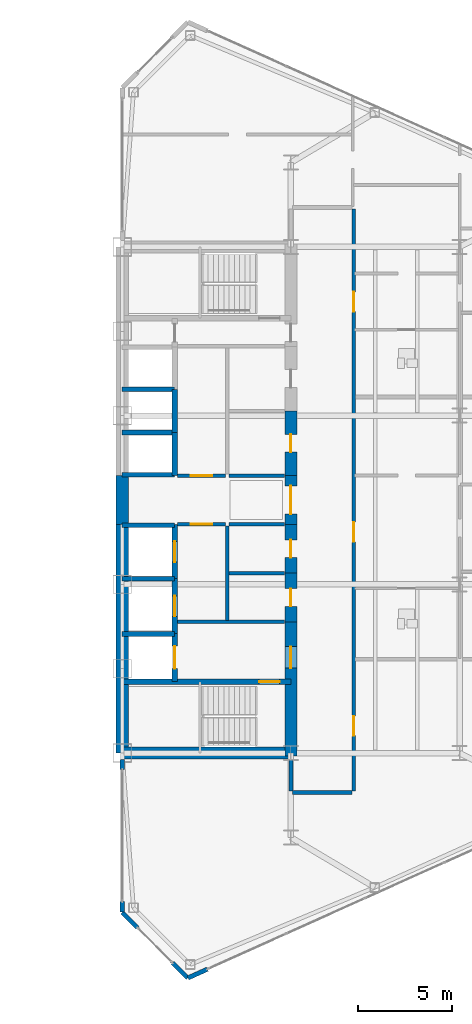
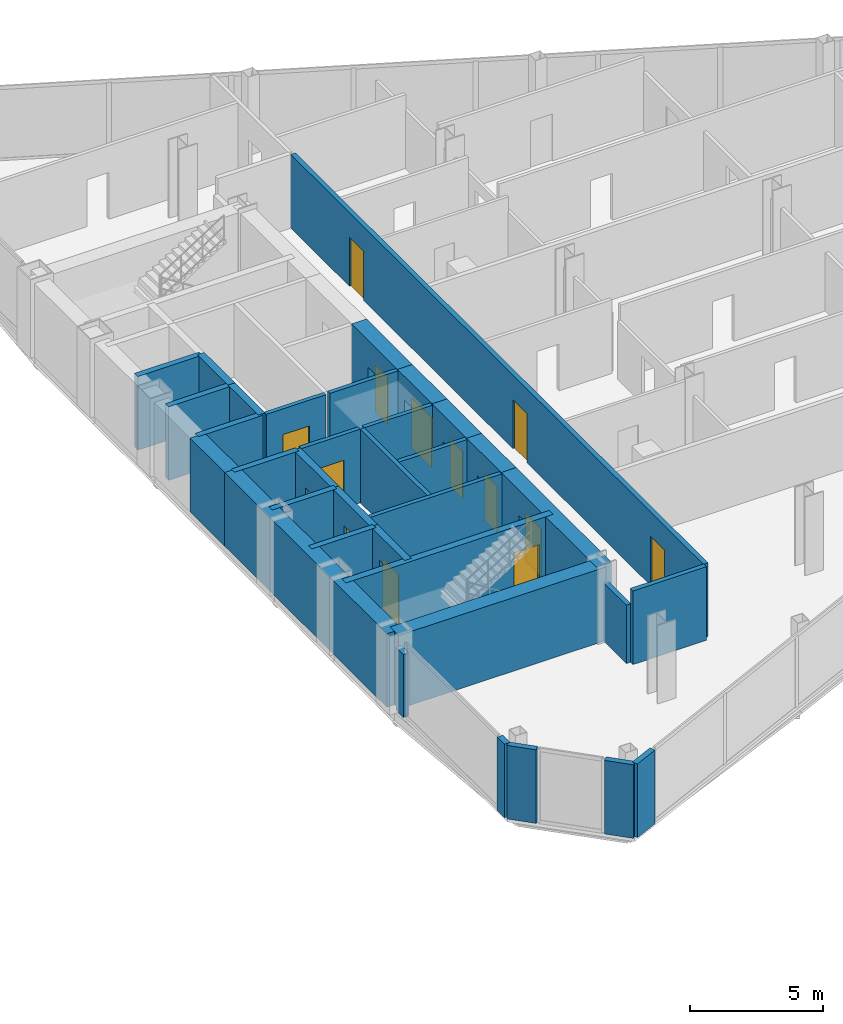
# One storey, part 22 of 27: 35 walls, 14 doors, 14 openings.
"""IFC4 building model written with IfcOpenShell, lengths in metres."""

from ifc_helpers import new_model, si_unit, direction, frame, frame_2d, origin, place, context, subcontext, project, spatial, rectangle, extrude, source, transform, mapped, material, layer, layer_set, type_object, type_shapes, element, fill, save


model = new_model("IFC4")

# Units and contexts
model_context = context("Model", 3, precision=1e-05, world=origin(), true_north=direction((0.0, 1.0)))
body_context = subcontext(model_context, "Body", "Model", "MODEL_VIEW")
ifc_project = project(units=[si_unit("LENGTHUNIT", "METRE"), si_unit("AREAUNIT", "SQUARE_METRE"), si_unit("VOLUMEUNIT", "CUBIC_METRE"), si_unit("PLANEANGLEUNIT", "RADIAN"), si_unit("MASSUNIT", "GRAM", prefix="KILO")], contexts=[model_context])

# Site, building, storey
site_placement = place(None, origin())
site = spatial("IfcSite", under=ifc_project, at=site_placement, CompositionType="ELEMENT")
building_placement = place(site_placement, origin())
building = spatial("IfcBuilding", under=site, at=building_placement, Name="Seokmaru Belvedere", CompositionType="ELEMENT")
storey_placement = place(building_placement, frame((0.0, 0.0, 69.300048828125)))
storey = spatial("IfcBuildingStorey", under=building, at=storey_placement, Name="L18", CompositionType="ELEMENT", Elevation=69.300048828125)

# Walls
ifc_material_1 = material(Name="Fire-Rated Gypsum Shaftwall")
ifc_layer_1 = layer(ifc_material_1, 0.179931640625)
ifc_layer_set_1 = layer_set([ifc_layer_1], Name="Fire-Rated Gypsum Shaftwall")
wall_type_1 = type_object("IfcWallType", Name="Core Service Fire Partition 180", PredefinedType="PARTITIONING", material=ifc_layer_set_1)
wall_1_placement = place(storey_placement, frame((30.449951171875, -6.5, 0.0), z_axis=(0.0, 0.0, 1.0), x_axis=(1.0, 0.0, 0.0)))
element("IfcWall", 1, at=wall_1_placement, inside=storey, type_object=wall_type_1, Name="L18 East Firefighting Lobby Partition", PredefinedType="PARTITIONING", context=body_context, shape_type="SweptSolid", body=[
    extrude(rectangle(XDim=5.699951171875, YDim=0.179931640625, at=frame_2d((2.85009765625, 0.0))), origin(), (0.0, 0.0, 1.0), 3.3798828125),
])
wall_2_placement = place(storey_placement, frame((33.10009765625, -6.419921875, 0.0), z_axis=(0.0, 0.0, 1.0), x_axis=(0.0, 1.0, 0.0)))
element("IfcWall", 2, at=wall_2_placement, inside=storey, type_object=wall_type_1, Name="L18 East South Core Service Back Wall", PredefinedType="PARTITIONING", context=body_context, shape_type="SweptSolid", body=[
    extrude(rectangle(XDim=5.0400390625, YDim=0.179931640625, at=frame_2d((2.52001953125, 0.0))), origin(), (0.0, 0.0, 1.0), 3.3798828125),
])

# Wall, opening, door
wall_3_placement = place(storey_placement, frame((30.449951171875, -1.300048828125, 0.0), z_axis=(0.0, 0.0, 1.0), x_axis=(1.0, 0.0, 0.0)))
wall_3 = element("IfcWall", 3, at=wall_3_placement, inside=storey, type_object=wall_type_1, Name="L18 East South Lift Lobby Foyer Wall", PredefinedType="PARTITIONING", context=body_context, shape_type="SweptSolid", body=[
    extrude(rectangle(XDim=2.570068359375, YDim=0.179931640625, at=frame_2d((1.28515625, 0.0))), origin(), (0.0, 0.0, 1.0), 3.3798828125),
])
opening_1_placement = place(wall_3_placement, frame((0.7099609375, 0.0, 0.0)))
opening_1 = element("IfcOpeningElement", 4, at=opening_1_placement, cuts=wall_3, Name="Opening D02", PredefinedType="OPENING", context=body_context, shape_type="SweptSolid", body=[
    extrude(rectangle(XDim=1.14990234375, YDim=2.199951171875, at=frame_2d((0.574951171875, 1.10009765625))), frame((0.0, 0.10009765625, 0.0), z_axis=(0.0, -1.0, 0.0), x_axis=(1.0, 0.0, 0.0)), (0.0, 0.0, 1.0), 0.199951171875),
])
ifc_material_2 = material(Name="Fire-Rated Steel Leaf", Category="steel")
door_type_1 = type_object("IfcDoorType", Name="Lobby and Vestibule Fire Door 1150x2200", OperationType="NOTDEFINED", PredefinedType="DOOR", material=ifc_material_2)
shared_shape_1 = source(origin(), body_context, "Body", "SweptSolid", [
    extrude(rectangle(XDim=1.14990234375, YDim=2.199951171875, at=frame_2d((0.574951171875, 1.10009765625))), frame((0.0, 0.02490234375, 0.0), z_axis=(0.0, -1.0, 0.0), x_axis=(1.0, 0.0, 0.0)), (0.0, 0.0, 1.0), 0.050048828125),
])
type_shapes(door_type_1, [shared_shape_1])
door_1_placement = place(opening_1_placement, origin())
door_1 = element("IfcDoor", 5, at=door_1_placement, inside=storey, type_object=door_type_1, Name="L18 East South Core Foyer Door", OperationType="SINGLE_SWING_RIGHT", OverallHeight=2.199951171875, OverallWidth=1.14990234375, PredefinedType="DOOR", context=body_context, shape_type="MappedRepresentation", body=[
    mapped(shared_shape_1, transform((0.0, 0.0, 0.0), scale=1.0)),
])
fill(opening_1, door_1)

wall_4_placement = place(storey_placement, frame((30.449951171875, 1.300048828125, 0.0), z_axis=(0.0, 0.0, 1.0), x_axis=(1.0, 0.0, 0.0)))
wall_4 = element("IfcWall", 6, at=wall_4_placement, inside=storey, type_object=wall_type_1, Name="L18 East North Lift Lobby Foyer Wall", PredefinedType="PARTITIONING", context=body_context, shape_type="SweptSolid", body=[
    extrude(rectangle(XDim=2.570068359375, YDim=0.179931640625, at=frame_2d((1.28515625, 0.0))), origin(), (0.0, 0.0, 1.0), 3.3798828125),
])
opening_2_placement = place(wall_4_placement, frame((0.7099609375, 0.0, 0.0)))
opening_2 = element("IfcOpeningElement", 7, at=opening_2_placement, cuts=wall_4, Name="Opening D02", PredefinedType="OPENING", context=body_context, shape_type="SweptSolid", body=[
    extrude(rectangle(XDim=1.14990234375, YDim=2.199951171875, at=frame_2d((0.574951171875, 1.10009765625))), frame((0.0, 0.10009765625, 0.0), z_axis=(0.0, -1.0, 0.0), x_axis=(1.0, 0.0, 0.0)), (0.0, 0.0, 1.0), 0.199951171875),
])
door_2_placement = place(opening_2_placement, origin())
door_2 = element("IfcDoor", 8, at=door_2_placement, inside=storey, type_object=door_type_1, Name="L18 East North Lift Lobby Door", OperationType="SINGLE_SWING_LEFT", OverallHeight=2.199951171875, OverallWidth=1.14990234375, PredefinedType="DOOR", context=body_context, shape_type="MappedRepresentation", body=[
    mapped(shared_shape_1, transform((0.0, 0.0, 0.0), scale=1.0)),
])
fill(opening_2, door_2)

# Walls
for number, where, z_axis, x_axis, name in (
    (9, (33.199951171875, -1.300048828125, 0.0), (0.0, 0.0, 1.0), (1.0, 0.0, 0.0), "L18 East Foyer Side Wall S"),
    (10, (33.199951171875, 1.300048828125, 0.0), (0.0, 0.0, 1.0), (1.0, 0.0, 0.0), "L18 East Foyer Side Wall N"),
    (11, (33.199951171875, -3.89990234375, 0.0), (0.0, 0.0, 1.0), (1.0, 0.0, 0.0), "L18 East Core Service Partition 1"),
):
    element("IfcWall", number, at=place(storey_placement, frame(where, z_axis=z_axis, x_axis=x_axis)), inside=storey, type_object=wall_type_1, Name=name, PredefinedType="PARTITIONING", context=body_context, shape_type="SweptSolid", body=[
        extrude(rectangle(XDim=2.949951171875, YDim=0.179931640625, at=frame_2d((1.47509765625, 0.0))), origin(), (0.0, 0.0, 1.0), 3.3798828125),
    ])
ifc_material_3 = material(Name="Concrete C50 (50 MPa)", Category="concrete")
ifc_layer_2 = layer(ifc_material_3, 0.25)
ifc_layer_set_2 = layer_set([ifc_layer_2], Name="Concrete C50 (50 MPa)")
wall_type_2 = type_object("IfcWallType", Name="Hoistway Transverse Concrete Divider Wall 250", PredefinedType="SHEAR", material=ifc_layer_set_2)
for number, where, z_axis, x_axis, name in (
    (12, (27.5, -7.14990234375, 0.0), (0.0, 0.0, 1.0), (1.0, 0.0, 0.0), "L18 East Hoistway Divider Core Wall 1"),
    (13, (27.5, -4.199951171875, 0.0), (0.0, 0.0, 1.0), (1.0, 0.0, 0.0), "L18 East Hoistway Divider Core Wall 2"),
    (14, (27.5, -1.35009765625, 0.0), (0.0, 0.0, 1.0), (1.0, 0.0, 0.0), "L18 East Hoistway Divider Core Wall 3"),
    (15, (27.5, 1.35009765625, 0.0), (0.0, 0.0, 1.0), (1.0, 0.0, 0.0), "L18 East Hoistway Divider Core Wall 4"),
    (16, (27.5, 3.60009765625, 0.0), (0.0, 0.0, 1.0), (1.0, 0.0, 0.0), "L18 East Hoistway Divider Core Wall 5"),
    (17, (27.5, 5.89990234375, 0.0), (0.0, 0.0, 1.0), (1.0, 0.0, 0.0), "L18 East Hoistway Divider Core Wall 6"),
):
    element("IfcWall", number, at=place(storey_placement, frame(where, z_axis=z_axis, x_axis=x_axis)), inside=storey, type_object=wall_type_2, Name=name, PredefinedType="SHEAR", context=body_context, shape_type="SweptSolid", body=[
        extrude(rectangle(XDim=2.800048828125, YDim=0.25, at=frame_2d((1.39990234375, 0.0))), origin(), (0.0, 0.0, 1.0), 3.3798828125),
    ])
ifc_layer_3 = layer(ifc_material_1, 0.199951171875)
ifc_layer_set_3 = layer_set([ifc_layer_3], Name="Fire-Rated Gypsum Shaftwall")
wall_type_3 = type_object("IfcWallType", Name="Inter-Tenancy Fire Compartment Partition 200", PredefinedType="PARTITIONING", material=ifc_layer_set_3)
wall_5_placement = place(storey_placement, frame((36.5849609375, -15.60009765625, 0.0), z_axis=(0.0, 0.0, 1.0), x_axis=(1.0, 0.0, 0.0)))
element("IfcWall", 18, at=wall_5_placement, inside=storey, type_object=wall_type_3, Name="L18 Interior Partition 003", PredefinedType="PARTITIONING", context=body_context, shape_type="SweptSolid", body=[
    extrude(rectangle(XDim=3.179931640625, YDim=0.199951171875, at=frame_2d((1.58984375, 0.0))), origin(), (0.0, 0.0, 1.0), 3.3798828125),
])
wall_6_placement = place(storey_placement, frame((36.5, -15.514892578125, 0.0), z_axis=(0.0, 0.0, 1.0), x_axis=(0.0, 1.0, 0.0)))
element("IfcWall", 19, at=wall_6_placement, inside=storey, type_object=wall_type_3, Name="L18 Interior Partition 043", PredefinedType="PARTITIONING", context=body_context, shape_type="SweptSolid", body=[
    extrude(rectangle(XDim=1.684814453125, YDim=0.199951171875, at=frame_2d((0.84228515625, 0.0))), origin(), (0.0, 0.0, 1.0), 2.679931640625),
])

# Wall, openings, doors
wall_7_placement = place(storey_placement, frame((39.85009765625, -15.514892578125, 0.0), z_axis=(0.0, 0.0, 1.0), x_axis=(0.0, 1.0, 0.0)))
wall_7 = element("IfcWall", 20, at=wall_7_placement, inside=storey, type_object=wall_type_3, Name="L18 Interior Partition 046", PredefinedType="PARTITIONING", context=body_context, shape_type="SweptSolid", body=[
    extrude(rectangle(XDim=31.02978515625, YDim=0.199951171875, at=frame_2d((15.514892578125, 0.0))), origin(), (0.0, 0.0, 1.0), 3.3798828125),
])
opening_3_placement = place(wall_7_placement, frame((2.93994140625, 0.0, 0.0)))
opening_3 = element("IfcOpeningElement", 21, at=opening_3_placement, cuts=wall_7, Name="Opening D03", PredefinedType="OPENING", context=body_context, shape_type="SweptSolid", body=[
    extrude(rectangle(XDim=1.050048828125, YDim=2.25, at=frame_2d((0.52490234375, 1.125))), frame((0.0, 0.10986328125, 0.0), z_axis=(0.0, -1.0, 0.0), x_axis=(1.0, 0.0, 0.0)), (0.0, 0.0, 1.0), 0.219970703125),
])
opening_4_placement = place(wall_7_placement, frame((13.280029296875, 0.0, 0.0)))
opening_4 = element("IfcOpeningElement", 22, at=opening_4_placement, cuts=wall_7, Name="Opening D03", PredefinedType="OPENING", context=body_context, shape_type="SweptSolid", body=[
    extrude(rectangle(XDim=1.050048828125, YDim=2.25, at=frame_2d((0.52490234375, 1.125))), frame((0.0, 0.10986328125, 0.0), z_axis=(0.0, -1.0, 0.0), x_axis=(1.0, 0.0, 0.0)), (0.0, 0.0, 1.0), 0.219970703125),
])
opening_5_placement = place(wall_7_placement, frame((25.5673828125, 0.0, 0.0)))
opening_5 = element("IfcOpeningElement", 23, at=opening_5_placement, cuts=wall_7, Name="Opening D03", PredefinedType="OPENING", context=body_context, shape_type="SweptSolid", body=[
    extrude(rectangle(XDim=1.050048828125, YDim=2.25, at=frame_2d((0.52490234375, 1.125))), frame((0.0, 0.10986328125, 0.0), z_axis=(0.0, -1.0, 0.0), x_axis=(1.0, 0.0, 0.0)), (0.0, 0.0, 1.0), 0.219970703125),
])
door_type_2 = type_object("IfcDoorType", Name="Apartment Entrance Fire Door 1050x2250", OperationType="NOTDEFINED", PredefinedType="DOOR", material=ifc_material_2)
shared_shape_2 = source(origin(), body_context, "Body", "SweptSolid", [
    extrude(rectangle(XDim=1.050048828125, YDim=2.25, at=frame_2d((0.52490234375, 1.125))), frame((0.0, 0.02490234375, 0.0), z_axis=(0.0, -1.0, 0.0), x_axis=(1.0, 0.0, 0.0)), (0.0, 0.0, 1.0), 0.050048828125),
])
type_shapes(door_type_2, [shared_shape_2])
door_3_placement = place(opening_3_placement, origin())
door_3 = element("IfcDoor", 24, at=door_3_placement, inside=storey, type_object=door_type_2, Name="L18 Interior Door 033", OperationType="SINGLE_SWING_LEFT", OverallHeight=2.25, OverallWidth=1.050048828125, PredefinedType="DOOR", context=body_context, shape_type="MappedRepresentation", body=[
    mapped(shared_shape_2, transform((0.0, 0.0, 0.0), scale=1.0)),
])
fill(opening_3, door_3)
door_4_placement = place(opening_4_placement, origin())
door_4 = element("IfcDoor", 25, at=door_4_placement, inside=storey, type_object=door_type_2, Name="L18 Interior Door 034", OperationType="SINGLE_SWING_RIGHT", OverallHeight=2.25, OverallWidth=1.050048828125, PredefinedType="DOOR", context=body_context, shape_type="MappedRepresentation", body=[
    mapped(shared_shape_2, transform((0.0, 0.0, 0.0), scale=1.0)),
])
fill(opening_4, door_4)
door_5_placement = place(opening_5_placement, origin())
door_5 = element("IfcDoor", 26, at=door_5_placement, inside=storey, type_object=door_type_2, Name="L18 Interior Door 046", OperationType="SINGLE_SWING_LEFT", OverallHeight=2.25, OverallWidth=1.050048828125, PredefinedType="DOOR", context=body_context, shape_type="MappedRepresentation", body=[
    mapped(shared_shape_2, transform((0.0, 0.0, 0.0), scale=1.0)),
])
fill(opening_5, door_5)

# Wall, opening, door
ifc_layer_4 = layer(ifc_material_3, 0.300048828125)
ifc_layer_set_4 = layer_set([ifc_layer_4], Name="Concrete C50 (50 MPa)")
wall_type_4 = type_object("IfcWallType", Name="Internal Core Stair and Hoistway Wall 300", PredefinedType="SHEAR", material=ifc_layer_set_4)
wall_8_placement = place(storey_placement, frame((27.5, -9.699951171875, 0.0), z_axis=(0.0, 0.0, 1.0), x_axis=(1.0, 0.0, 0.0)))
wall_8 = element("IfcWall", 27, at=wall_8_placement, inside=storey, type_object=wall_type_4, Name="L18 East Stair ST-1 Enclosure Wall", PredefinedType="SHEAR", context=body_context, shape_type="SweptSolid", body=[
    extrude(rectangle(XDim=9.0, YDim=0.300048828125, at=frame_2d((4.5, 0.0))), origin(), (0.0, 0.0, 1.0), 3.3798828125),
])
opening_6_placement = place(wall_8_placement, frame((7.300048828125, 0.0, 0.0)))
opening_6 = element("IfcOpeningElement", 28, at=opening_6_placement, cuts=wall_8, Name="Opening D01", PredefinedType="OPENING", context=body_context, shape_type="SweptSolid", body=[
    extrude(rectangle(XDim=1.10009765625, YDim=2.199951171875, at=frame_2d((0.550048828125, 1.10009765625))), frame((0.0, 0.16015625, 0.0), z_axis=(0.0, -1.0, 0.0), x_axis=(1.0, 0.0, 0.0)), (0.0, 0.0, 1.0), 0.320068359375),
])
door_type_3 = type_object("IfcDoorType", Name="Special Escape Stair Smokeproof Fire Door 1100x2200", OperationType="NOTDEFINED", PredefinedType="DOOR", material=ifc_material_2)
shared_shape_3 = source(origin(), body_context, "Body", "SweptSolid", [
    extrude(rectangle(XDim=1.10009765625, YDim=2.199951171875, at=frame_2d((0.550048828125, 1.10009765625))), frame((0.0, 0.02490234375, 0.0), z_axis=(0.0, -1.0, 0.0), x_axis=(1.0, 0.0, 0.0)), (0.0, 0.0, 1.0), 0.050048828125),
])
type_shapes(door_type_3, [shared_shape_3])
door_6_placement = place(opening_6_placement, frame((1.10009765625, 0.0, 0.0), z_axis=(0.0, 0.0, 1.0), x_axis=(-1.0, 0.0, 0.0)))
door_6 = element("IfcDoor", 29, at=door_6_placement, inside=storey, type_object=door_type_3, Name="L18 East Special Escape Stair ST-1 Door", OperationType="SINGLE_SWING_RIGHT", OverallHeight=2.199951171875, OverallWidth=1.10009765625, PredefinedType="DOOR", context=body_context, shape_type="MappedRepresentation", body=[
    mapped(shared_shape_3, transform((0.0, 0.0, 0.0), scale=1.0)),
])
fill(opening_6, door_6)

wall_9_placement = place(storey_placement, frame((30.300048828125, -9.679931640625, 0.0), z_axis=(0.0, 0.0, 1.0), x_axis=(0.0, 1.0, 0.0)))
wall_9 = element("IfcWall", 30, at=wall_9_placement, inside=storey, type_object=wall_type_4, Name="L18 East Firefighting Lift Shaft Front Wall", PredefinedType="SHEAR", context=body_context, shape_type="SweptSolid", body=[
    extrude(rectangle(XDim=2.559814453125, YDim=0.300048828125, at=frame_2d((1.27978515625, 0.0))), origin(), (0.0, 0.0, 1.0), 3.3798828125),
])
opening_7_placement = place(wall_9_placement, frame((0.679931640625, 0.0, 0.0)))
opening_7 = element("IfcOpeningElement", 31, at=opening_7_placement, cuts=wall_9, Name="Opening LD2", PredefinedType="OPENING", context=body_context, shape_type="SweptSolid", body=[
    extrude(rectangle(XDim=1.199951171875, YDim=2.25, at=frame_2d((0.60009765625, 1.125))), frame((0.0, 0.16015625, 0.0), z_axis=(0.0, -1.0, 0.0), x_axis=(1.0, 0.0, 0.0)), (0.0, 0.0, 1.0), 0.320068359375),
])
ifc_material_4 = material(Name="Stainless Steel 316", Category="steel")
door_type_4 = type_object("IfcDoorType", Name="Firefighting Lift Sliding Landing Door 1200x2250", OperationType="DOUBLE_DOOR_SLIDING", PredefinedType="DOOR", material=ifc_material_4)
shared_shape_4 = source(origin(), body_context, "Body", "SweptSolid", [
    extrude(rectangle(XDim=1.199951171875, YDim=2.25, at=frame_2d((0.60009765625, 1.125))), frame((0.0, 0.02490234375, 0.0), z_axis=(0.0, -1.0, 0.0), x_axis=(1.0, 0.0, 0.0)), (0.0, 0.0, 1.0), 0.050048828125),
])
type_shapes(door_type_4, [shared_shape_4])
door_7_placement = place(opening_7_placement, origin())
door_7 = element("IfcDoor", 32, at=door_7_placement, inside=storey, type_object=door_type_4, Name="L18 East Firefighting Lift Landing Door", OperationType="DOUBLE_DOOR_SLIDING", OverallHeight=2.25, OverallWidth=1.199951171875, PredefinedType="DOOR", context=body_context, shape_type="MappedRepresentation", body=[
    mapped(shared_shape_4, transform((0.0, 0.0, 0.0), scale=1.0)),
])
fill(opening_7, door_7)

wall_10_placement = place(storey_placement, frame((30.300048828125, -7.1201171875, 0.0), z_axis=(0.0, 0.0, 1.0), x_axis=(0.0, 1.0, 0.0)))
wall_10 = element("IfcWall", 33, at=wall_10_placement, inside=storey, type_object=wall_type_4, Name="L18 East Low-Rise Lift PL-1 Front Wall", PredefinedType="SHEAR", context=body_context, shape_type="SweptSolid", body=[
    extrude(rectangle(XDim=2.920166015625, YDim=0.300048828125, at=frame_2d((1.4599609375, 0.0))), origin(), (0.0, 0.0, 1.0), 3.3798828125),
])
opening_8_placement = place(wall_10_placement, frame((0.909912109375, 0.0, 0.0)))
opening_8 = element("IfcOpeningElement", 34, at=opening_8_placement, cuts=wall_10, Name="Opening LD1", PredefinedType="OPENING", context=body_context, shape_type="SweptSolid", body=[
    extrude(rectangle(XDim=1.10009765625, YDim=2.199951171875, at=frame_2d((0.550048828125, 1.10009765625))), frame((0.0, 0.16015625, 0.0), z_axis=(0.0, -1.0, 0.0), x_axis=(1.0, 0.0, 0.0)), (0.0, 0.0, 1.0), 0.320068359375),
])
door_type_5 = type_object("IfcDoorType", Name="Passenger Lift Sliding Landing Door 1100x2200", OperationType="DOUBLE_DOOR_SLIDING", PredefinedType="DOOR", material=ifc_material_4)
shared_shape_5 = source(origin(), body_context, "Body", "SweptSolid", [
    extrude(rectangle(XDim=1.10009765625, YDim=2.199951171875, at=frame_2d((0.550048828125, 1.10009765625))), frame((0.0, 0.02490234375, 0.0), z_axis=(0.0, -1.0, 0.0), x_axis=(1.0, 0.0, 0.0)), (0.0, 0.0, 1.0), 0.050048828125),
])
type_shapes(door_type_5, [shared_shape_5])
door_8_placement = place(opening_8_placement, origin())
door_8 = element("IfcDoor", 35, at=door_8_placement, inside=storey, type_object=door_type_5, Name="L18 East Low-Rise Lift PL-1 Landing Door", OperationType="DOUBLE_DOOR_SLIDING", OverallHeight=2.199951171875, OverallWidth=1.10009765625, PredefinedType="DOOR", context=body_context, shape_type="MappedRepresentation", body=[
    mapped(shared_shape_5, transform((0.0, 0.0, 0.0), scale=1.0)),
])
fill(opening_8, door_8)

wall_11_placement = place(storey_placement, frame((30.300048828125, -4.199951171875, 0.0), z_axis=(0.0, 0.0, 1.0), x_axis=(0.0, 1.0, 0.0)))
wall_11 = element("IfcWall", 36, at=wall_11_placement, inside=storey, type_object=wall_type_4, Name="L18 East Low-Rise Lift PL-2 Front Wall", PredefinedType="SHEAR", context=body_context, shape_type="SweptSolid", body=[
    extrude(rectangle(XDim=2.8798828125, YDim=0.300048828125, at=frame_2d((1.43994140625, 0.0))), origin(), (0.0, 0.0, 1.0), 3.3798828125),
])
opening_9_placement = place(wall_11_placement, frame((0.889892578125, 0.0, 0.0)))
opening_9 = element("IfcOpeningElement", 37, at=opening_9_placement, cuts=wall_11, Name="Opening LD1", PredefinedType="OPENING", context=body_context, shape_type="SweptSolid", body=[
    extrude(rectangle(XDim=1.10009765625, YDim=2.199951171875, at=frame_2d((0.550048828125, 1.10009765625))), frame((0.0, 0.16015625, 0.0), z_axis=(0.0, -1.0, 0.0), x_axis=(1.0, 0.0, 0.0)), (0.0, 0.0, 1.0), 0.320068359375),
])
door_9_placement = place(opening_9_placement, origin())
door_9 = element("IfcDoor", 38, at=door_9_placement, inside=storey, type_object=door_type_5, Name="L18 East Low-Rise Lift PL-2 Landing Door", OperationType="DOUBLE_DOOR_SLIDING", OverallHeight=2.199951171875, OverallWidth=1.10009765625, PredefinedType="DOOR", context=body_context, shape_type="MappedRepresentation", body=[
    mapped(shared_shape_5, transform((0.0, 0.0, 0.0), scale=1.0)),
])
fill(opening_9, door_9)

# Walls
wall_12_placement = place(storey_placement, frame((30.300048828125, 1.320068359375, 0.0), z_axis=(0.0, 0.0, 1.0), x_axis=(0.0, 1.0, 0.0)))
element("IfcWall", 39, at=wall_12_placement, inside=storey, type_object=wall_type_4, Name="L18 East North Hoistway Wall PH1", PredefinedType="SHEAR", context=body_context, shape_type="SweptSolid", body=[
    extrude(rectangle(XDim=2.280029296875, YDim=0.300048828125, at=frame_2d((1.14013671875, 0.0))), origin(), (0.0, 0.0, 1.0), 3.3798828125),
])
wall_13_placement = place(storey_placement, frame((30.300048828125, 3.60009765625, 0.0), z_axis=(0.0, 0.0, 1.0), x_axis=(0.0, 1.0, 0.0)))
element("IfcWall", 40, at=wall_13_placement, inside=storey, type_object=wall_type_4, Name="L18 East North Hoistway Wall PH2", PredefinedType="SHEAR", context=body_context, shape_type="SweptSolid", body=[
    extrude(rectangle(XDim=2.2998046875, YDim=0.300048828125, at=frame_2d((1.14990234375, 0.0))), origin(), (0.0, 0.0, 1.0), 3.3798828125),
])
ifc_material_5 = material(Name="Concrete C60 (60 MPa)", Category="concrete")
ifc_layer_5 = layer(ifc_material_5, 0.64990234375)
ifc_layer_set_5 = layer_set([ifc_layer_5], Name="Concrete C60 (60 MPa)")
wall_type_5 = type_object("IfcWallType", Name="Mid-Low Reinforced Concrete Core Wall 650", PredefinedType="SHEAR", material=ifc_layer_set_5)
wall_14_placement = place(storey_placement, frame((27.5, -13.5, 0.0), z_axis=(0.0, 0.0, 1.0), x_axis=(0.0, 1.0, 0.0)))
element("IfcWall", 41, at=wall_14_placement, inside=storey, type_object=wall_type_5, Name="L18 East Portal Spine Core Wall South", PredefinedType="SHEAR", context=body_context, shape_type="SweptSolid", body=[
    extrude(rectangle(XDim=12.199951171875, YDim=0.64990234375, at=frame_2d((6.10009765625, 0.0))), origin(), (0.0, 0.0, 1.0), 3.3798828125),
])
wall_15_placement = place(storey_placement, frame((27.5, -1.300048828125, 0.0), z_axis=(0.0, 0.0, 1.0), x_axis=(0.0, 1.0, 0.0)))
element("IfcWall", 42, at=wall_15_placement, inside=storey, type_object=wall_type_5, Name="L18 East Portal Spine Core Wall Center", PredefinedType="SHEAR", context=body_context, shape_type="SweptSolid", body=[
    extrude(rectangle(XDim=2.60009765625, YDim=0.64990234375, at=frame_2d((1.300048828125, 0.0))), origin(), (0.0, 0.0, 1.0), 3.3798828125),
])
wall_16_placement = place(storey_placement, frame((27.5, -13.5, 0.0), z_axis=(0.0, 0.0, 1.0), x_axis=(1.0, 0.0, 0.0)))
element("IfcWall", 43, at=wall_16_placement, inside=storey, type_object=wall_type_5, Name="L18 East South Core Wall", PredefinedType="SHEAR", context=body_context, shape_type="SweptSolid", body=[
    extrude(rectangle(XDim=9.0, YDim=0.64990234375, at=frame_2d((4.5, 0.0))), origin(), (0.0, 0.0, 1.0), 3.3798828125),
])

# Wall, opening, door
wall_17_placement = place(storey_placement, frame((36.5, -13.64990234375, 0.0), z_axis=(0.0, 0.0, 1.0), x_axis=(0.0, 1.0, 0.0)))
wall_17 = element("IfcWall", 44, at=wall_17_placement, inside=storey, type_object=wall_type_5, Name="L18 East West Core Wall FF", PredefinedType="SHEAR", context=body_context, shape_type="SweptSolid", body=[
    extrude(rectangle(XDim=7.14990234375, YDim=0.64990234375, at=frame_2d((3.574951171875, 0.0))), origin(), (0.0, 0.0, 1.0), 3.3798828125),
])
opening_10_placement = place(wall_17_placement, frame((4.675048828125, 0.0, 0.0)))
opening_10 = element("IfcOpeningElement", 45, at=opening_10_placement, cuts=wall_17, Name="Opening D02", PredefinedType="OPENING", context=body_context, shape_type="SweptSolid", body=[
    extrude(rectangle(XDim=1.14990234375, YDim=2.199951171875, at=frame_2d((0.574951171875, 1.10009765625))), frame((0.0, 0.3349609375, 0.0), z_axis=(0.0, -1.0, 0.0), x_axis=(1.0, 0.0, 0.0)), (0.0, 0.0, 1.0), 0.669921875),
])
door_10_placement = place(opening_10_placement, origin())
door_10 = element("IfcDoor", 46, at=door_10_placement, inside=storey, type_object=door_type_1, Name="L18 East Firefighting Lobby Door", OperationType="SINGLE_SWING_RIGHT", OverallHeight=2.199951171875, OverallWidth=1.14990234375, PredefinedType="DOOR", context=body_context, shape_type="MappedRepresentation", body=[
    mapped(shared_shape_1, transform((0.0, 0.0, 0.0), scale=1.0)),
])
fill(opening_10, door_10)

wall_18_placement = place(storey_placement, frame((36.5, -1.300048828125, 0.0), z_axis=(0.0, 0.0, 1.0), x_axis=(0.0, 1.0, 0.0)))
wall_18 = element("IfcWall", 47, at=wall_18_placement, inside=storey, type_object=wall_type_5, Name="L18 East West Core Wall FOY", PredefinedType="SHEAR", context=body_context, shape_type="SweptSolid", body=[
    extrude(rectangle(XDim=2.60009765625, YDim=0.64990234375, at=frame_2d((1.300048828125, 0.0))), origin(), (0.0, 0.0, 1.0), 3.3798828125),
])
opening_11_placement = place(wall_18_placement, frame((0.550048828125, 0.0, 0.0)))
opening_11 = element("IfcOpeningElement", 48, at=opening_11_placement, cuts=wall_18, Name="Opening D08", PredefinedType="OPENING", context=body_context, shape_type="SweptSolid", body=[
    extrude(rectangle(XDim=1.5, YDim=2.300048828125, at=frame_2d((0.75, 1.14990234375))), frame((0.0, 0.3349609375, 0.0), z_axis=(0.0, -1.0, 0.0), x_axis=(1.0, 0.0, 0.0)), (0.0, 0.0, 1.0), 0.669921875),
])
door_type_6 = type_object("IfcDoorType", Name="Cross-Corridor Compartment Double Fire Door 1500x2300", OperationType="DOUBLE_SWING_LEFT", PredefinedType="DOOR", material=ifc_material_2)
shared_shape_6 = source(origin(), body_context, "Body", "SweptSolid", [
    extrude(rectangle(XDim=1.5, YDim=2.300048828125, at=frame_2d((0.75, 1.14990234375))), frame((0.0, 0.02490234375, 0.0), z_axis=(0.0, -1.0, 0.0), x_axis=(1.0, 0.0, 0.0)), (0.0, 0.0, 1.0), 0.050048828125),
])
type_shapes(door_type_6, [shared_shape_6])
door_11_placement = place(opening_11_placement, origin())
door_11 = element("IfcDoor", 49, at=door_11_placement, inside=storey, type_object=door_type_6, Name="L18 East Core Foyer Compartment Door", OperationType="DOUBLE_SWING_LEFT", OverallHeight=2.300048828125, OverallWidth=1.5, PredefinedType="DOOR", context=body_context, shape_type="MappedRepresentation", body=[
    mapped(shared_shape_6, transform((0.0, 0.0, 0.0), scale=1.0)),
])
fill(opening_11, door_11)

wall_19_placement = place(storey_placement, frame((36.5, -6.5, 0.0), z_axis=(0.0, 0.0, 1.0), x_axis=(0.0, 1.0, 0.0)))
wall_19 = element("IfcWall", 50, at=wall_19_placement, inside=storey, type_object=wall_type_5, Name="L18 East West Core Wall CS1", PredefinedType="SHEAR", context=body_context, shape_type="SweptSolid", body=[
    extrude(rectangle(XDim=2.60009765625, YDim=0.64990234375, at=frame_2d((1.300048828125, 0.0))), origin(), (0.0, 0.0, 1.0), 3.3798828125),
])
opening_12_placement = place(wall_19_placement, frame((0.824951171875, 0.0, 0.0)))
opening_12 = element("IfcOpeningElement", 51, at=opening_12_placement, cuts=wall_19, Name="Opening D04", PredefinedType="OPENING", context=body_context, shape_type="SweptSolid", body=[
    extrude(rectangle(XDim=0.949951171875, YDim=2.14990234375, at=frame_2d((0.47509765625, 1.074951171875))), frame((0.0, 0.3349609375, 0.0), z_axis=(0.0, -1.0, 0.0), x_axis=(1.0, 0.0, 0.0)), (0.0, 0.0, 1.0), 0.669921875),
])
door_type_7 = type_object("IfcDoorType", Name="Core Service Room Fire Door 950x2150", OperationType="NOTDEFINED", PredefinedType="DOOR", material=ifc_material_2)
shared_shape_7 = source(origin(), body_context, "Body", "SweptSolid", [
    extrude(rectangle(XDim=0.949951171875, YDim=2.14990234375, at=frame_2d((0.47509765625, 1.074951171875))), frame((0.0, 0.02490234375, 0.0), z_axis=(0.0, -1.0, 0.0), x_axis=(1.0, 0.0, 0.0)), (0.0, 0.0, 1.0), 0.050048828125),
])
type_shapes(door_type_7, [shared_shape_7])
door_12_placement = place(opening_12_placement, origin())
door_12 = element("IfcDoor", 52, at=door_12_placement, inside=storey, type_object=door_type_7, Name="L18 East Core Service Room Door 1", OperationType="SINGLE_SWING_RIGHT", OverallHeight=2.14990234375, OverallWidth=0.949951171875, PredefinedType="DOOR", context=body_context, shape_type="MappedRepresentation", body=[
    mapped(shared_shape_7, transform((0.0, 0.0, 0.0), scale=1.0)),
])
fill(opening_12, door_12)

wall_20_placement = place(storey_placement, frame((36.5, -3.89990234375, 0.0), z_axis=(0.0, 0.0, 1.0), x_axis=(0.0, 1.0, 0.0)))
wall_20 = element("IfcWall", 53, at=wall_20_placement, inside=storey, type_object=wall_type_5, Name="L18 East West Core Wall CS2", PredefinedType="SHEAR", context=body_context, shape_type="SweptSolid", body=[
    extrude(rectangle(XDim=2.599853515625, YDim=0.64990234375, at=frame_2d((1.2998046875, 0.0))), origin(), (0.0, 0.0, 1.0), 3.3798828125),
])
opening_13_placement = place(wall_20_placement, frame((0.824951171875, 0.0, 0.0)))
opening_13 = element("IfcOpeningElement", 54, at=opening_13_placement, cuts=wall_20, Name="Opening D04", PredefinedType="OPENING", context=body_context, shape_type="SweptSolid", body=[
    extrude(rectangle(XDim=0.949951171875, YDim=2.14990234375, at=frame_2d((0.47509765625, 1.074951171875))), frame((0.0, 0.3349609375, 0.0), z_axis=(0.0, -1.0, 0.0), x_axis=(1.0, 0.0, 0.0)), (0.0, 0.0, 1.0), 0.669921875),
])
door_13_placement = place(opening_13_placement, origin())
door_13 = element("IfcDoor", 55, at=door_13_placement, inside=storey, type_object=door_type_7, Name="L18 East Core Service Room Door 2", OperationType="SINGLE_SWING_LEFT", OverallHeight=2.14990234375, OverallWidth=0.949951171875, PredefinedType="DOOR", context=body_context, shape_type="MappedRepresentation", body=[
    mapped(shared_shape_7, transform((0.0, 0.0, 0.0), scale=1.0)),
])
fill(opening_13, door_13)

wall_21_placement = place(storey_placement, frame((36.5, 1.300048828125, 0.0), z_axis=(0.0, 0.0, 1.0), x_axis=(0.0, 1.0, 0.0)))
wall_21 = element("IfcWall", 56, at=wall_21_placement, inside=storey, type_object=wall_type_5, Name="L18 East West Core Wall CS3", PredefinedType="SHEAR", context=body_context, shape_type="SweptSolid", body=[
    extrude(rectangle(XDim=3.449951171875, YDim=0.64990234375, at=frame_2d((1.72509765625, 0.0))), origin(), (0.0, 0.0, 1.0), 3.3798828125),
])
opening_14_placement = place(wall_21_placement, frame((1.25, 0.0, 0.0)))
opening_14 = element("IfcOpeningElement", 57, at=opening_14_placement, cuts=wall_21, Name="Opening D04", PredefinedType="OPENING", context=body_context, shape_type="SweptSolid", body=[
    extrude(rectangle(XDim=0.949951171875, YDim=2.14990234375, at=frame_2d((0.47509765625, 1.074951171875))), frame((0.0, 0.3349609375, 0.0), z_axis=(0.0, -1.0, 0.0), x_axis=(1.0, 0.0, 0.0)), (0.0, 0.0, 1.0), 0.669921875),
])
door_14_placement = place(opening_14_placement, origin())
door_14 = element("IfcDoor", 58, at=door_14_placement, inside=storey, type_object=door_type_7, Name="L18 East Core Service Room Door 3", OperationType="SINGLE_SWING_RIGHT", OverallHeight=2.14990234375, OverallWidth=0.949951171875, PredefinedType="DOOR", context=body_context, shape_type="MappedRepresentation", body=[
    mapped(shared_shape_7, transform((0.0, 0.0, 0.0), scale=1.0)),
])
fill(opening_14, door_14)

# Walls
ifc_material_6 = material(Name="Anodised Bronze Aluminium", Category="aluminium")
ifc_layer_6 = layer(ifc_material_6, 0.239990234375)
ifc_layer_set_6 = layer_set([ifc_layer_6], Name="Anodised Bronze Aluminium")
wall_type_6 = type_object("IfcWallType", Name="Tower Corner Spandrel Closure Wall 240", PredefinedType="SOLIDWALL", material=ifc_layer_set_6)
wall_22_placement = place(storey_placement, frame((31.009033203125, -25.495849609375, 0.0), z_axis=(0.0, 0.0, 1.0), x_axis=(0.911929519623, 0.410346866979, 0.0)))
element("IfcWall", 59, at=wall_22_placement, inside=storey, type_object=wall_type_6, Name="L18 E Corner Closure Pier 1A", PredefinedType="SOLIDWALL", context=body_context, shape_type="SweptSolid", body=[
    extrude(rectangle(XDim=1.139892578125, YDim=0.239990234375, at=frame_2d((0.56982421875, 0.0))), origin(), (0.0, 0.0, 1.0), 3.3798828125),
])
wall_23_placement = place(storey_placement, frame((27.5, -21.97998046875, 0.0), z_axis=(0.0, 0.0, 1.0), x_axis=(0.0, 1.0, 0.0)))
element("IfcWall", 60, at=wall_23_placement, inside=storey, type_object=wall_type_6, Name="L18 E Spine Closure Pier 1A", PredefinedType="SOLIDWALL", context=body_context, shape_type="SweptSolid", body=[
    extrude(rectangle(XDim=0.550048828125, YDim=0.239990234375, at=frame_2d((0.27490234375, 0.0))), origin(), (0.0, 0.0, 1.0), 3.3798828125),
])
wall_24_placement = place(storey_placement, frame((27.5, -14.3798828125, 0.0), z_axis=(0.0, 0.0, 1.0), x_axis=(0.0, 1.0, 0.0)))
element("IfcWall", 61, at=wall_24_placement, inside=storey, type_object=wall_type_6, Name="L18 E Spine Closure Pier 1B", PredefinedType="SOLIDWALL", context=body_context, shape_type="SweptSolid", body=[
    extrude(rectangle(XDim=0.5498046875, YDim=0.239990234375, at=frame_2d((0.27490234375, 0.0))), origin(), (0.0, 0.0, 1.0), 2.8798828125),
])
for number, where, z_axis, x_axis, name in (
    (62, (27.507080078125, -22.007080078125, 0.0), (0.0, 0.0, 1.0), (0.707106781187, -0.707106781187, 0.0), "L18 E Corner Closure Pier 6A"),
    (63, (30.186767578125, -24.686767578125, 0.0), (0.0, 0.0, 1.0), (0.707106781187, -0.707106781187, 0.0), "L18 E Corner Closure Pier 6B"),
):
    element("IfcWall", number, at=place(storey_placement, frame(where, z_axis=z_axis, x_axis=x_axis)), inside=storey, type_object=wall_type_6, Name=name, PredefinedType="SOLIDWALL", context=body_context, shape_type="SweptSolid", body=[
        extrude(rectangle(XDim=1.14013671875, YDim=0.239990234375, at=frame_2d((0.570068359375, 0.0))), origin(), (0.0, 0.0, 1.0), 3.3798828125),
    ])

save(model, "model.ifc")
